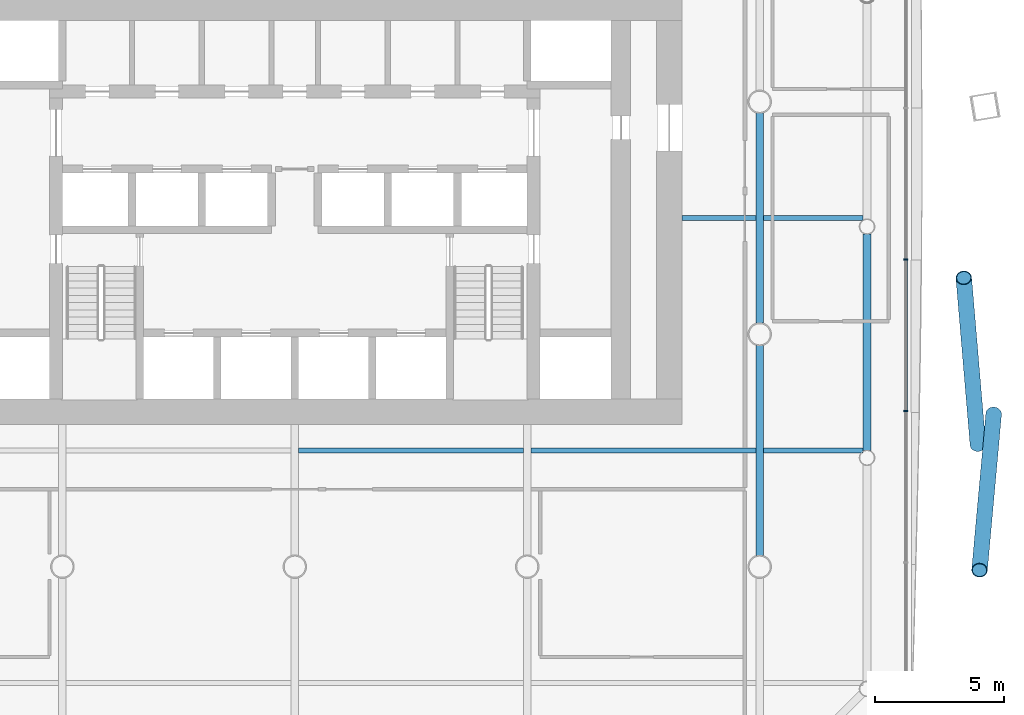
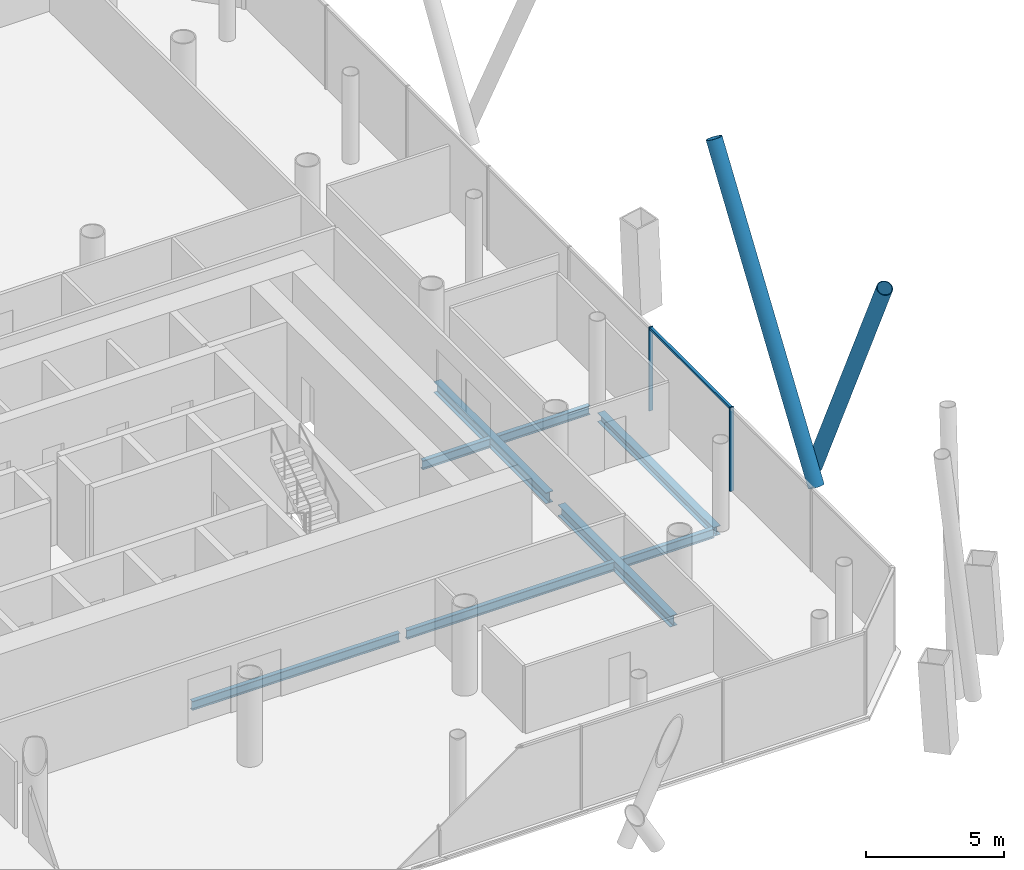
# One storey, part 8 of 25: 8 beams, 5 members, 1 element without a shape of its own.
"""IFC4 building model written with IfcOpenShell, lengths in metres."""

import ifcopenshell
import ifcopenshell.guid

model = None  # the IFC model being written
_history = None  # IfcOwnerHistory: only IFC2X3 demands one
_inside = {}  # id of a spatial element -> (the spatial element, [elements in it])
_under = {}  # id of a project, library or spatial element -> (it, [spatial elements below it])
_declared = {}  # id of a project -> (the project, [libraries it declares])
_typed = {}  # id of a type object -> (the type object, [elements of that type])
_made_of = {}  # id of a material, layer set ... -> (it, [elements and type objects made of it])


def new_model(schema):
    """Start an empty IFC model of exactly this schema.

    Asked for "IFC4X3", IfcOpenShell would pick the latest addendum, in which some entities
    have other attributes; the version numbers below select the first issue.
    IFC2X3 requires an IfcOwnerHistory on every rooted entity: one is made here for all.
    """
    global model, _history
    if schema == "IFC4X3":
        model = ifcopenshell.file(schema_version=(4, 3, 0, 0))
    else:
        model = ifcopenshell.file(schema=schema)
    _inside.clear()
    _under.clear()
    _declared.clear()
    _typed.clear()
    _made_of.clear()
    _history = None
    if model.schema == "IFC2X3":
        org = make("IfcOrganization", Name="unknown")
        user = make(
            "IfcPersonAndOrganization",
            ThePerson=make("IfcPerson", FamilyName="unknown"),
            TheOrganization=org,
        )
        app = make(
            "IfcApplication",
            ApplicationDeveloper=org,
            Version="unknown",
            ApplicationFullName="unknown",
            ApplicationIdentifier="unknown",
        )
        _history = make(
            "IfcOwnerHistory",
            OwningUser=user,
            OwningApplication=app,
            ChangeAction="ADDED",
            CreationDate=0,
        )
    return model


def make(cls, **values):
    """One entity of the class cls with the attributes given. An attribute that is None is left unset."""
    return model.create_entity(
        cls, **{name: value for name, value in values.items() if value is not None}
    )


def rooted(cls, **values):
    """An entity with a GlobalId (a new one), such as an element, a storey or a relation."""
    return make(cls, GlobalId=ifcopenshell.guid.new(), OwnerHistory=_history, **values)


def si_unit(unit_type, name, prefix=None):
    """IfcSIUnit, for example si_unit("LENGTHUNIT", "METRE", prefix="MILLI")."""
    return make("IfcSIUnit", UnitType=unit_type, Prefix=prefix, Name=name)


def assignment(units):
    """IfcUnitAssignment: the units of a project."""
    return None if units is None else make("IfcUnitAssignment", Units=units)


def point(xyz):
    """IfcCartesianPoint."""
    return None if xyz is None else make("IfcCartesianPoint", Coordinates=xyz)


def direction(xyz):
    """IfcDirection."""
    return None if xyz is None else make("IfcDirection", DirectionRatios=xyz)


def frame(location, z_axis=None, x_axis=None):
    """IfcAxis2Placement3D, a coordinate frame: its origin and axes. An axis left out is left unset."""
    return make(
        "IfcAxis2Placement3D",
        Location=point(location),
        Axis=direction(z_axis),
        RefDirection=direction(x_axis),
    )


def frame_2d(location, x_axis=None):
    """IfcAxis2Placement2D, a coordinate frame in the plane: its origin and x axis."""
    return make(
        "IfcAxis2Placement2D", Location=point(location), RefDirection=direction(x_axis)
    )


def origin():
    """The frame at (0, 0, 0) with its axes left unset."""
    return frame((0.0, 0.0, 0.0))


def origin_2d():
    """The frame at (0, 0) in the plane with its x axis left unset."""
    return frame_2d((0.0, 0.0))


def place(relative_to, where):
    """IfcLocalPlacement: puts the frame where relative to a parent placement (None: the world)."""
    return make(
        "IfcLocalPlacement", PlacementRelTo=relative_to, RelativePlacement=where
    )


def context(
    kind, dimensions, precision=None, world=None, true_north=None, identifier=None
):
    """IfcGeometricRepresentationContext, for example the 3D "Model" context."""
    return make(
        "IfcGeometricRepresentationContext",
        ContextIdentifier=identifier,
        ContextType=kind,
        CoordinateSpaceDimension=dimensions,
        Precision=precision,
        WorldCoordinateSystem=world,
        TrueNorth=true_north,
    )


def subcontext(parent, identifier, kind, view, scale=None):
    """IfcGeometricRepresentationSubContext, for example "Body" below "Model"."""
    return make(
        "IfcGeometricRepresentationSubContext",
        ContextIdentifier=identifier,
        ContextType=kind,
        ParentContext=parent,
        TargetScale=scale,
        TargetView=view,
    )


def project(units=None, contexts=None):
    """IfcProject with its units and contexts."""
    return rooted(
        "IfcProject",
        Name="project",
        RepresentationContexts=contexts,
        UnitsInContext=assignment(units),
    )


def spatial(cls, under=None, at=None, **own):
    """A site, building, storey or space (cls), placed at a placement, below another one or the project."""
    s = rooted(cls, ObjectPlacement=at, **own)
    if under is not None:
        _under.setdefault(under.id(), (under, []))[1].append(s)
    return s


def profile(cls, at=None, kind="AREA", **sizes):
    """A parametric profile (cls). Its sizes go by their IFC names, for example OverallWidth=200.0."""
    return make(cls, ProfileType=kind, Position=at, **sizes)


def rectangle(**sizes):
    """IfcRectangleProfileDef."""
    return profile("IfcRectangleProfileDef", **sizes)


def hollow_circle(**sizes):
    """IfcCircleHollowProfileDef."""
    return profile("IfcCircleHollowProfileDef", **sizes)


def i_section(**sizes):
    """IfcIShapeProfileDef."""
    return profile("IfcIShapeProfileDef", **sizes)


def extrude(swept, where, along, depth):
    """IfcExtrudedAreaSolid: the profile swept, set in the frame where, extruded along a direction by depth."""
    return make(
        "IfcExtrudedAreaSolid",
        SweptArea=swept,
        Position=where,
        ExtrudedDirection=direction(along),
        Depth=depth,
    )


def shape(context_of_items, identifier, shape_type, items):
    """IfcShapeRepresentation: the items that make up one representation, for example the "Body"."""
    return make(
        "IfcShapeRepresentation",
        ContextOfItems=context_of_items,
        RepresentationIdentifier=identifier,
        RepresentationType=shape_type,
        Items=items,
    )


def material(Name=None, Category=None):
    """IfcMaterial."""
    return make("IfcMaterial", Name=Name, Category=Category)


def material_profile(
    of_material, cross_section, Name=None, Category=None, Priority=None
):
    """IfcMaterialProfile: a cross section and its material."""
    return make(
        "IfcMaterialProfile",
        Name=Name,
        Material=of_material,
        Profile=cross_section,
        Priority=Priority,
        Category=Category,
    )


def profile_set(profiles, Name=None, composite=None):
    """IfcMaterialProfileSet."""
    return make(
        "IfcMaterialProfileSet",
        Name=Name,
        MaterialProfiles=profiles,
        CompositeProfile=composite,
    )


def made_of(thing, what):
    """Note that an element or type object is made of a material, layer set ...; save() writes the relation."""
    if what is not None:
        _made_of.setdefault(what.id(), (what, []))[1].append(thing)
    return thing


def type_object(cls, material=None, **own):
    """A type object (cls), such as IfcWallType, which elements share."""
    return made_of(rooted(cls, **own), material)


def element(
    cls,
    number,
    at=None,
    inside=None,
    cuts=None,
    type_object=None,
    material=None,
    context=None,
    identifier="Body",
    shape_type=None,
    held_by="IfcProductDefinitionShape",
    body=None,
    shapes=None,
    **own,
):
    """One element of the class cls, such as IfcWall. Its Tag is "e" and its number.

    at: its placement. inside: the storey or other place that contains it. cuts: it is an
    opening in that element (IfcRelVoidsElement). A single representation is given by context,
    identifier, shape_type and body (its items); several are given by shapes. held_by: the class
    of the entity that holds the representations. save() writes the other relations.
    """
    e = rooted(cls, Tag="e%d" % number, ObjectPlacement=at, **own)
    if body is not None:
        shapes = [shape(context, identifier, shape_type, body)]
    if shapes is not None:
        e.Representation = make(held_by, Representations=shapes)
    if inside is not None:
        _inside.setdefault(inside.id(), (inside, []))[1].append(e)
    if cuts is not None:
        rooted(
            "IfcRelVoidsElement", RelatingBuildingElement=cuts, RelatedOpeningElement=e
        )
    if type_object is not None:
        _typed.setdefault(type_object.id(), (type_object, []))[1].append(e)
    return made_of(e, material)


def aggregate(whole, parts):
    """IfcRelAggregates: a whole, such as a stair, and the parts it consists of."""
    return rooted("IfcRelAggregates", RelatingObject=whole, RelatedObjects=parts)


def save(model, path):
    """Write the relations noted so far, then the file.

    IfcRelAggregates (storeys below a building ...), IfcRelContainedInSpatialStructure (elements
    in a storey), IfcRelDefinesByType, IfcRelAssociatesMaterial and IfcRelDeclares: one each for
    every whole, place, type object, material and project.
    """
    for whole, parts in _under.values():
        aggregate(whole, parts)
    for where, things in _inside.values():
        rooted(
            "IfcRelContainedInSpatialStructure",
            RelatedElements=things,
            RelatingStructure=where,
        )
    for kind, things in _typed.values():
        rooted("IfcRelDefinesByType", RelatedObjects=things, RelatingType=kind)
    for what, things in _made_of.values():
        rooted("IfcRelAssociatesMaterial", RelatedObjects=things, RelatingMaterial=what)
    for by, libraries in _declared.values():
        rooted("IfcRelDeclares", RelatingContext=by, RelatedDefinitions=libraries)
    model.write(path)


model = new_model("IFC4")

# Units and contexts
model_context = context("Model", 3, precision=1e-05, world=origin(), true_north=direction((0.0, 1.0)))
body_context = subcontext(model_context, "Body", "Model", "MODEL_VIEW")
ifc_project = project(units=[si_unit("LENGTHUNIT", "METRE"), si_unit("AREAUNIT", "SQUARE_METRE"), si_unit("VOLUMEUNIT", "CUBIC_METRE"), si_unit("PLANEANGLEUNIT", "RADIAN"), si_unit("MASSUNIT", "GRAM", prefix="KILO")], contexts=[model_context])

# Site, building, storey
site_placement = place(None, origin())
site = spatial("IfcSite", under=ifc_project, at=site_placement, CompositionType="ELEMENT")
building_placement = place(site_placement, origin())
building = spatial("IfcBuilding", under=site, at=building_placement, Name="Tskaro Facet Tower", CompositionType="ELEMENT")
storey_placement = place(building_placement, frame((0.0, 0.0, 34.199951171875)))
storey = spatial("IfcBuildingStorey", under=building, at=storey_placement, Name="L07", CompositionType="ELEMENT", Elevation=34.199951171875)

# Members
ifc_material_1 = material(Name="Steel S355J2H", Category="steel")
ifc_material_profile_1 = material_profile(ifc_material_1, hollow_circle(Radius=0.304931640625, WallThickness=0.030029296875, at=origin_2d()), Name="CHS 610x30")
ifc_profile_set_1 = profile_set([ifc_material_profile_1], Name="Steel S355J2H")
member_type_1 = type_object("IfcMemberType", Name="CHS 610x30 brace", PredefinedType="BRACE", material=ifc_profile_set_1)
member_1_placement = place(storey_placement, frame((26.449462890625, -13.26953125, 0.0), z_axis=(-0.040945403918, 0.482710350337, 0.874822377158), x_axis=(-0.996421745721, -0.084520439271, 0.0)))
element("IfcMember", 1, at=member_1_placement, inside=storey, type_object=member_type_1, Name="CHS 610x30 XB04A/1", PredefinedType="BRACE", context=body_context, shape_type="SweptSolid", body=[
    extrude(hollow_circle(Radius=0.304931640625, WallThickness=0.030029296875, at=origin_2d()), origin(), (0.0, 0.0, 1.0), 13.3740234375),
])
member_2_placement = place(storey_placement, frame((27.0595703125, -12.090087890625, 0.0), z_axis=(-0.041564771349, -0.458620204365, 0.887659776001), x_axis=(0.995918225195, -0.090260117017, 0.0)))
element("IfcMember", 2, at=member_2_placement, inside=storey, type_object=member_type_1, Name="CHS 610x30 XB04B/1", PredefinedType="BRACE", context=body_context, shape_type="SweptSolid", body=[
    extrude(hollow_circle(Radius=0.304931640625, WallThickness=0.030029296875, at=origin_2d()), origin(), (0.0, 0.0, 1.0), 13.1806640625),
])

# Curtain wall, members
ifc_material_2 = material(Name="Bronze anodised aluminium 6063-T6", Category="aluminium")
curtain_wall_type = type_object("IfcCurtainWallType", Name="Bronze office curtain wall (FW1)", PredefinedType="NOTDEFINED", material=ifc_material_2)
curtain_wall_placement = place(storey_placement, origin())
curtain_wall = element("IfcCurtainWall", 3, at=curtain_wall_placement, inside=storey, type_object=curtain_wall_type, Name="FW1 east facet L07", PredefinedType="NOTDEFINED")
ifc_material_profile_2 = material_profile(ifc_material_2, rectangle(XDim=0.06005859375, YDim=0.159912109375, at=origin_2d()), Name="Mullion 60x160")
ifc_profile_set_2 = profile_set([ifc_material_profile_2], Name="Bronze anodised aluminium 6063-T6")
member_type_2 = type_object("IfcMemberType", Name="FW1 bronze mullion 60x160", PredefinedType="MULLION", material=ifc_profile_set_2)
member_3_placement = place(storey_placement, frame((23.654052734375, -11.97607421875, 0.0), z_axis=(0.0, 0.0, 1.0), x_axis=(0.0, 1.0, 0.0)))
member_3 = element("IfcMember", 4, at=member_3_placement, type_object=member_type_2, Name="FW1 east mullion 2", PredefinedType="MULLION", context=body_context, shape_type="SweptSolid", body=[
    extrude(rectangle(XDim=0.06005859375, YDim=0.159912109375, at=origin_2d()), origin(), (0.0, 0.0, 1.0), 3.699951171875),
])
member_4_placement = place(storey_placement, frame((23.654052734375, -6.107421875, 0.0), z_axis=(0.0, 0.0, 1.0), x_axis=(0.0, 1.0, 0.0)))
member_4 = element("IfcMember", 5, at=member_4_placement, type_object=member_type_2, Name="FW1 east mullion 3", PredefinedType="MULLION", context=body_context, shape_type="SweptSolid", body=[
    extrude(rectangle(XDim=0.06005859375, YDim=0.159912109375, at=origin_2d()), origin(), (0.0, 0.0, 1.0), 3.699951171875),
])
ifc_material_profile_3 = material_profile(ifc_material_2, rectangle(XDim=0.1201171875, YDim=0.10009765625, at=origin_2d()), Name="Transom 120x100")
ifc_profile_set_3 = profile_set([ifc_material_profile_3], Name="Bronze anodised aluminium 6063-T6")
member_type_3 = type_object("IfcMemberType", Name="FW1 bronze transom 120x100", PredefinedType="USERDEFINED", material=ifc_profile_set_3)
member_5_placement = place(storey_placement, frame((23.654052734375, -11.946044921875, 3.650146484375), z_axis=(0.0, 1.0, 0.0), x_axis=(-1.0, 0.0, 0.0)))
member_5 = element("IfcMember", 6, at=member_5_placement, type_object=member_type_3, Name="FW1 east transom 3.1", ObjectType="TRANSOM", PredefinedType="USERDEFINED", context=body_context, shape_type="SweptSolid", body=[
    extrude(rectangle(XDim=0.1201171875, YDim=0.10009765625, at=origin_2d()), origin(), (0.0, 0.0, 1.0), 5.80859375),
])
aggregate(curtain_wall, [member_3, member_4, member_5])

# Beams
ifc_material_3 = material(Name="Steel S355J2", Category="steel")
ifc_material_profile_4 = material_profile(ifc_material_3, i_section(OverallWidth=0.300048828125, OverallDepth=0.39990234375, WebThickness=0.013427734375, FlangeThickness=0.02392578125, FilletRadius=0.027099609375, at=origin_2d()), Name="HE 400 B")
ifc_profile_set_4 = profile_set([ifc_material_profile_4], Name="Steel S355J2")
beam_type_1 = type_object("IfcBeamType", Name="HE 400 B ring beam", PredefinedType="BEAM", material=ifc_profile_set_4)
beam_1_placement = place(storey_placement, frame((22.156982421875, -13.506103515625, -0.33984375), z_axis=(0.0, 1.0, 0.0), x_axis=(-1.0, 0.0, 0.0)))
element("IfcBeam", 7, at=beam_1_placement, inside=storey, type_object=beam_type_1, Name="HE 400 B EB9-1", PredefinedType="BEAM", context=body_context, shape_type="SweptSolid", body=[
    extrude(i_section(OverallWidth=0.300048828125, OverallDepth=0.39990234375, WebThickness=0.013427734375, FlangeThickness=0.02392578125, FilletRadius=0.027099609375, at=origin_2d()), origin(), (0.0, 0.0, 1.0), 8.398193359375),
])
ifc_material_profile_5 = material_profile(ifc_material_3, i_section(OverallWidth=0.300048828125, OverallDepth=0.489990234375, WebThickness=0.011962890625, FlangeThickness=0.02294921875, FilletRadius=0.027099609375, at=origin_2d()), Name="HE 500 A")
ifc_profile_set_5 = profile_set([ifc_material_profile_5], Name="Steel S355J2")
beam_type_2 = type_object("IfcBeamType", Name="HE 500 A girder", PredefinedType="BEAM", material=ifc_profile_set_5)
for number, where, z_axis, x_axis, name in (
    (8, (18.0, -17.57275390625, -0.385009765625), (0.0, 1.0, 0.0), (-1.0, 0.0, 0.0), "HE 500 A GB6-2-1"),
    (9, (18.0, -8.57275390625, -0.385009765625), (0.0, 1.0, 0.0), (-1.0, 0.0, 0.0), "HE 500 A GB6-3-1"),
):
    element("IfcBeam", number, at=place(storey_placement, frame(where, z_axis=z_axis, x_axis=x_axis)), inside=storey, type_object=beam_type_2, Name=name, PredefinedType="BEAM", context=body_context, shape_type="SweptSolid", body=[
        extrude(i_section(OverallWidth=0.300048828125, OverallDepth=0.489990234375, WebThickness=0.011962890625, FlangeThickness=0.02294921875, FilletRadius=0.027099609375, at=origin_2d()), origin(), (0.0, 0.0, 1.0), 8.1455078125),
    ])
ifc_material_profile_6 = material_profile(ifc_material_3, i_section(OverallWidth=0.179931640625, OverallDepth=0.39990234375, WebThickness=0.008544921875, FlangeThickness=0.013427734375, FilletRadius=0.02099609375, at=origin_2d()), Name="IPE 400")
ifc_profile_set_6 = profile_set([ifc_material_profile_6], Name="Steel S355J2")
beam_type_3 = type_object("IfcBeamType", Name="IPE 400 secondary beam", PredefinedType="BEAM", material=ifc_profile_set_6)
for number, where, z_axis, x_axis, name in (
    (10, (0.14990234375, -13.5, -0.33984375), (1.0, 0.0, 0.0), (0.0, 1.0, 0.0), "IPE 400 SB2a-4-1"),
    (11, (9.14990234375, -13.5, -0.33984375), (1.0, 0.0, 0.0), (0.0, 1.0, 0.0), "IPE 400 SB2a-5-1"),
):
    element("IfcBeam", number, at=place(storey_placement, frame(where, z_axis=z_axis, x_axis=x_axis)), inside=storey, type_object=beam_type_3, Name=name, PredefinedType="BEAM", context=body_context, shape_type="SweptSolid", body=[
        extrude(i_section(OverallWidth=0.179931640625, OverallDepth=0.39990234375, WebThickness=0.008544921875, FlangeThickness=0.013427734375, FilletRadius=0.02099609375, at=origin_2d()), origin(), (0.0, 0.0, 1.0), 8.7001953125),
    ])
beam_2_placement = place(storey_placement, frame((18.14990234375, -13.5, -0.33984375), z_axis=(1.0, 0.0, 0.0), x_axis=(0.0, 1.0, 0.0)))
element("IfcBeam", 12, at=beam_2_placement, inside=storey, type_object=beam_type_3, Name="IPE 400 SB2a-6-1", PredefinedType="BEAM", context=body_context, shape_type="SweptSolid", body=[
    extrude(i_section(OverallWidth=0.179931640625, OverallDepth=0.39990234375, WebThickness=0.008544921875, FlangeThickness=0.013427734375, FilletRadius=0.02099609375, at=origin_2d()), origin(), (0.0, 0.0, 1.0), 3.857177734375),
])
beam_3_placement = place(storey_placement, frame((15.0, -4.5, -0.33984375), z_axis=(1.0, 0.0, 0.0), x_axis=(0.0, 1.0, 0.0)))
element("IfcBeam", 13, at=beam_3_placement, inside=storey, type_object=beam_type_3, Name="IPE 400 SB3a-3-1", PredefinedType="BEAM", context=body_context, shape_type="SweptSolid", body=[
    extrude(i_section(OverallWidth=0.179931640625, OverallDepth=0.39990234375, WebThickness=0.008544921875, FlangeThickness=0.013427734375, FilletRadius=0.02099609375, at=origin_2d()), origin(), (0.0, 0.0, 1.0), 2.85009765625),
])
beam_4_placement = place(storey_placement, frame((18.14990234375, -4.5, -0.33984375), z_axis=(1.0, 0.0, 0.0), x_axis=(0.0, 1.0, 0.0)))
element("IfcBeam", 14, at=beam_4_placement, inside=storey, type_object=beam_type_3, Name="IPE 400 SB3a-4-1", PredefinedType="BEAM", context=body_context, shape_type="SweptSolid", body=[
    extrude(i_section(OverallWidth=0.179931640625, OverallDepth=0.39990234375, WebThickness=0.008544921875, FlangeThickness=0.013427734375, FilletRadius=0.02099609375, at=origin_2d()), origin(), (0.0, 0.0, 1.0), 3.857177734375),
])

save(model, "model.ifc")
